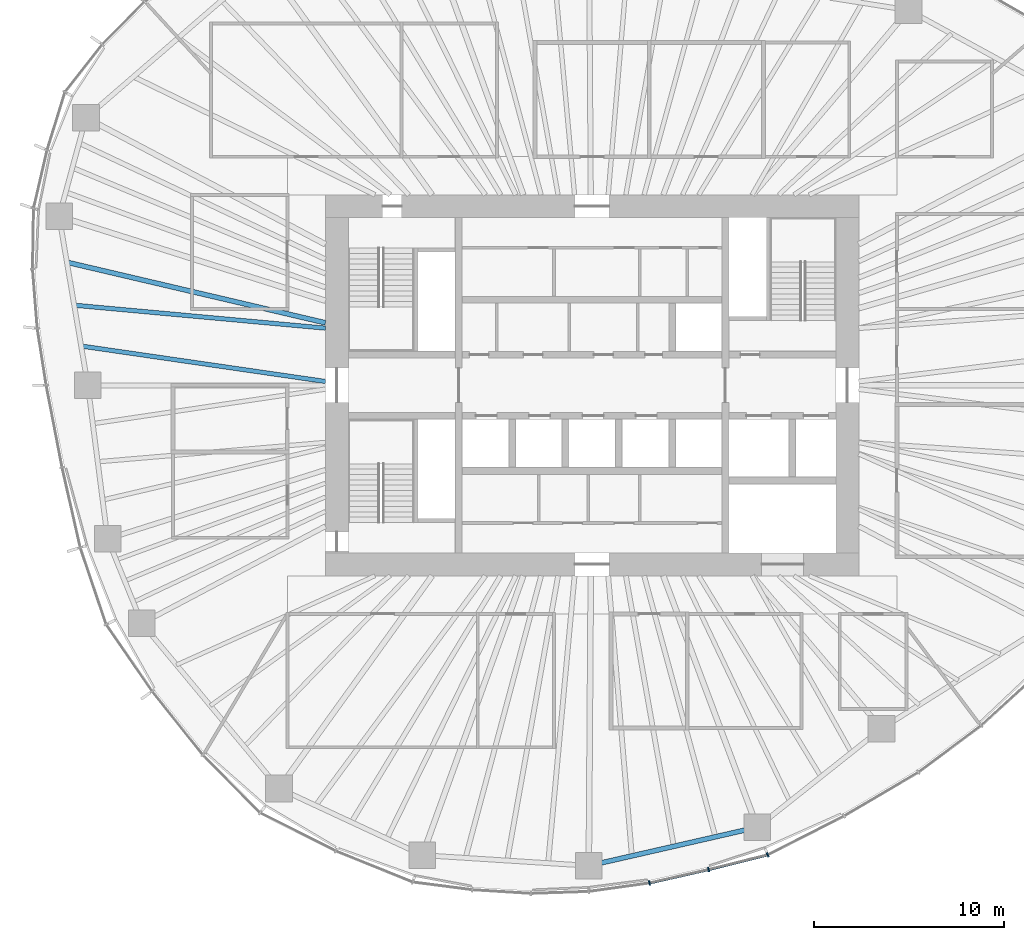
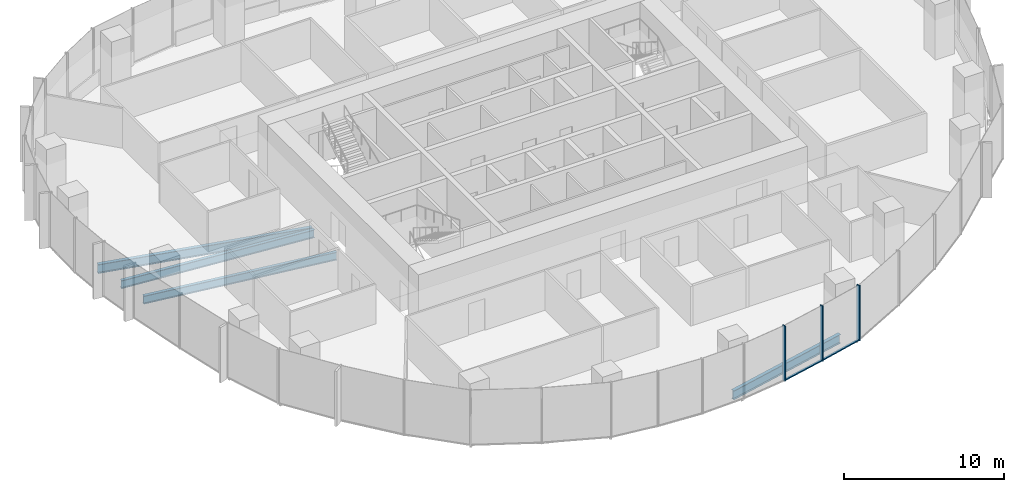
# One storey, part 3 of 18: 5 members, 4 beams, 2 elements without a shape of their own.
"""IFC4 building model written with IfcOpenShell, lengths in metres."""

from ifc_helpers import new_model, si_unit, direction, frame, origin, origin_2d, place, context, subcontext, project, spatial, rectangle, i_section, extrude, material, material_profile, profile_set, type_object, element, aggregate, save


model = new_model("IFC4")

# Units and contexts
model_context = context("Model", 3, precision=1e-05, world=origin(), true_north=direction((0.0, 1.0)))
body_context = subcontext(model_context, "Body", "Model", "MODEL_VIEW")
ifc_project = project(units=[si_unit("LENGTHUNIT", "METRE"), si_unit("AREAUNIT", "SQUARE_METRE"), si_unit("VOLUMEUNIT", "CUBIC_METRE"), si_unit("PLANEANGLEUNIT", "RADIAN"), si_unit("MASSUNIT", "GRAM", prefix="KILO")], contexts=[model_context])

# Site, building, storey
site_placement = place(None, origin())
site = spatial("IfcSite", under=ifc_project, at=site_placement, CompositionType="ELEMENT")
building_placement = place(site_placement, origin())
building = spatial("IfcBuilding", under=site, at=building_placement, Name="Ghaith Harvest Tower", CompositionType="ELEMENT")
storey_placement = place(building_placement, frame((0.0, 0.0, 163.800048828125)))
storey = spatial("IfcBuildingStorey", under=building, at=storey_placement, Name="L35", CompositionType="ELEMENT", Elevation=163.800048828125)

# Curtain wall, members
ifc_material_1 = material(Name="Black anodised aluminium and fritted glass", Category="aluminium")
curtain_wall_type = type_object("IfcCurtainWallType", Name="CW-L CURTAIN WALL", PredefinedType="NOTDEFINED", material=ifc_material_1)
curtain_wall_1_placement = place(storey_placement, origin())
curtain_wall_1 = element("IfcCurtainWall", 1, at=curtain_wall_1_placement, inside=storey, type_object=curtain_wall_type, Name="Curtain wall CW-L bay 16 L35", PredefinedType="NOTDEFINED")
ifc_material_2 = material(Name="Aluminium, black anodised", Category="aluminium")
ifc_material_profile_1 = material_profile(ifc_material_2, rectangle(XDim=0.080078125, YDim=0.239990234375, at=origin_2d()), Name="CW-L MULLION 80x240")
ifc_profile_set_1 = profile_set([ifc_material_profile_1], Name="Aluminium, black anodised")
member_type_1 = type_object("IfcMemberType", Name="CW-L MULLION 80x240", PredefinedType="MULLION", material=ifc_profile_set_1)
member_1_placement = place(storey_placement, frame((3.010009765625, -26.12939453125, 0.0), z_axis=(0.0, 0.0, 1.0), x_axis=(0.983806317978, 0.179234842337, 0.0)))
member_1 = element("IfcMember", 2, at=member_1_placement, type_object=member_type_1, Name="CW-L mullion 2 bay 16 L35", PredefinedType="MULLION", context=body_context, shape_type="SweptSolid", body=[
    extrude(rectangle(XDim=0.080078125, YDim=0.239990234375, at=origin_2d()), origin(), (0.0, 0.0, 1.0), 4.199951171875),
])
member_2_placement = place(storey_placement, frame((6.1201171875, -25.425537109375, 0.0), z_axis=(0.0, 0.0, 1.0), x_axis=(0.972918144681, 0.231149916179, 0.0)))
member_2 = element("IfcMember", 3, at=member_2_placement, type_object=member_type_1, Name="CW-L mullion 3 bay 16 L35", PredefinedType="MULLION", context=body_context, shape_type="SweptSolid", body=[
    extrude(rectangle(XDim=0.080078125, YDim=0.239990234375, at=origin_2d()), origin(), (0.0, 0.0, 1.0), 4.199951171875),
])

# Curtain wall, member
curtain_wall_2_placement = place(storey_placement, origin())
curtain_wall_2 = element("IfcCurtainWall", 4, at=curtain_wall_2_placement, inside=storey, type_object=curtain_wall_type, Name="Curtain wall CW-L bay 17 L35", PredefinedType="NOTDEFINED")
member_3_placement = place(storey_placement, frame((9.216796875, -24.654541015625, 0.0), z_axis=(0.0, 0.0, 1.0), x_axis=(0.929831847154, 0.367984695358, 0.0)))
member_3 = element("IfcMember", 5, at=member_3_placement, type_object=member_type_1, Name="CW-L mullion 1 bay 17 L35", PredefinedType="MULLION", context=body_context, shape_type="SweptSolid", body=[
    extrude(rectangle(XDim=0.080078125, YDim=0.239990234375, at=origin_2d()), origin(), (0.0, 0.0, 1.0), 4.199951171875),
])
aggregate(curtain_wall_2, [member_3])

# Member
ifc_material_3 = material(Name="Aluminium, black anodised", Category="aluminium")
ifc_material_profile_2 = material_profile(ifc_material_3, rectangle(XDim=0.14990234375, YDim=0.080078125, at=origin_2d()), Name="CW-L TRANSOM 150x80")
ifc_profile_set_2 = profile_set([ifc_material_profile_2], Name="Aluminium, black anodised")
member_type_2 = type_object("IfcMemberType", Name="CW-L TRANSOM 150x80", PredefinedType="USERDEFINED", material=ifc_profile_set_2)
member_4_placement = place(storey_placement, frame((3.048828125, -26.120361328125, 0.0400390625), z_axis=(0.975352213651, 0.22065370907, 0.0), x_axis=(-0.22065370907, 0.975352213651, 0.0)))
member_4 = element("IfcMember", 6, at=member_4_placement, type_object=member_type_2, Name="CW-L transom 2 bay 16 L35", ObjectType="TRANSOM", PredefinedType="USERDEFINED", context=body_context, shape_type="SweptSolid", body=[
    extrude(rectangle(XDim=0.14990234375, YDim=0.080078125, at=origin_2d()), origin(), (0.0, 0.0, 1.0), 3.109130859375),
])

member_5_placement = place(storey_placement, frame((6.158935546875, -25.415771484375, 0.0400390625), z_axis=(0.97039125345, 0.241538434265, 0.0), x_axis=(-0.241538434265, 0.97039125345, 0.0)))
member_5 = element("IfcMember", 7, at=member_5_placement, type_object=member_type_2, Name="CW-L transom 3 bay 16 L35", ObjectType="TRANSOM", PredefinedType="USERDEFINED", context=body_context, shape_type="SweptSolid", body=[
    extrude(rectangle(XDim=0.14990234375, YDim=0.080078125, at=origin_2d()), origin(), (0.0, 0.0, 1.0), 3.111083984375),
])

aggregate(curtain_wall_1, [member_1, member_4, member_2, member_5])

# Beams
ifc_material_4 = material(Name="Steel ASTM A992 Grade 50", Category="steel")
ifc_material_profile_3 = material_profile(ifc_material_4, i_section(OverallWidth=0.25390625, OverallDepth=0.68408203125, WebThickness=0.012451171875, FlangeThickness=0.018798828125, at=origin_2d()), Name="W690X140")
ifc_profile_set_3 = profile_set([ifc_material_profile_3], Name="Steel ASTM A992 Grade 50")
beam_type_1 = type_object("IfcBeamType", Name="E690-140 W690X140", PredefinedType="SPANDREL", material=ifc_profile_set_3)
beam_1_placement = place(storey_placement, frame((-0.173095703125, -25.22412109375, -0.511962890625), z_axis=(0.974881709383, 0.22272326486, 0.0), x_axis=(-0.22272326486, 0.974881709383, 0.0)))
element("IfcBeam", 8, at=beam_1_placement, inside=storey, type_object=beam_type_1, Name="Edge beam E16 L35", PredefinedType="SPANDREL", context=body_context, shape_type="SweptSolid", body=[
    extrude(i_section(OverallWidth=0.25390625, OverallDepth=0.68408203125, WebThickness=0.012451171875, FlangeThickness=0.018798828125, at=origin_2d()), origin(), (0.0, 0.0, 1.0), 9.0751953125),
])
ifc_material_5 = material(Name="Steel ASTM A992 Grade 50", Category="steel")
ifc_material_profile_4 = material_profile(ifc_material_5, i_section(OverallWidth=0.22900390625, OverallDepth=0.612060546875, WebThickness=0.011962890625, FlangeThickness=0.01953125, at=origin_2d()), Name="W610X125")
ifc_profile_set_4 = profile_set([ifc_material_profile_4], Name="Steel ASTM A992 Grade 50")
beam_type_2 = type_object("IfcBeamType", Name="J610-125 W610X125", PredefinedType="JOIST", material=ifc_profile_set_4)
beam_2_placement = place(storey_placement, frame((-14.0, 3.0, -0.47607421875), z_axis=(-0.995849123151, 0.091019360137, 0.0), x_axis=(-0.091019360137, -0.995849123151, 0.0)))
element("IfcBeam", 9, at=beam_2_placement, inside=storey, type_object=beam_type_2, Name="Joist J10.2 L35", PredefinedType="JOIST", context=body_context, shape_type="SweptSolid", body=[
    extrude(i_section(OverallWidth=0.22900390625, OverallDepth=0.612060546875, WebThickness=0.011962890625, FlangeThickness=0.01953125, at=origin_2d()), origin(), (0.0, 0.0, 1.0), 13.2451171875),
])
beam_3_placement = place(storey_placement, frame((-14.0, 0.199951171875, -0.47607421875), z_axis=(-0.989622120656, 0.143694322465, 0.0), x_axis=(-0.143694322465, -0.989622120656, 0.0)))
element("IfcBeam", 10, at=beam_3_placement, inside=storey, type_object=beam_type_2, Name="Joist J10.3 L35", PredefinedType="JOIST", context=body_context, shape_type="SweptSolid", body=[
    extrude(i_section(OverallWidth=0.22900390625, OverallDepth=0.612060546875, WebThickness=0.011962890625, FlangeThickness=0.01953125, at=origin_2d()), origin(), (0.0, 0.0, 1.0), 12.960205078125),
])
ifc_material_6 = material(Name="Steel ASTM A992 Grade 50", Category="steel")
ifc_material_profile_5 = material_profile(ifc_material_6, i_section(OverallWidth=0.25390625, OverallDepth=0.68408203125, WebThickness=0.012451171875, FlangeThickness=0.018798828125, at=origin_2d()), Name="W690X140")
ifc_profile_set_5 = profile_set([ifc_material_profile_5], Name="Steel ASTM A992 Grade 50")
beam_type_3 = type_object("IfcBeamType", Name="J690-140 W690X140", PredefinedType="JOIST", material=ifc_profile_set_5)
beam_4_placement = place(storey_placement, frame((-14.0, 3.280517578125, -0.511962890625), z_axis=(-0.973623240284, 0.228161753978, 0.0), x_axis=(-0.228161753978, -0.973623240284, 0.0)))
element("IfcBeam", 11, at=beam_4_placement, inside=storey, type_object=beam_type_3, Name="Joist J10.1 L35", PredefinedType="JOIST", context=body_context, shape_type="SweptSolid", body=[
    extrude(i_section(OverallWidth=0.25390625, OverallDepth=0.68408203125, WebThickness=0.012451171875, FlangeThickness=0.018798828125, at=origin_2d()), origin(), (0.0, 0.0, 1.0), 13.94140625),
])

save(model, "model.ifc")
